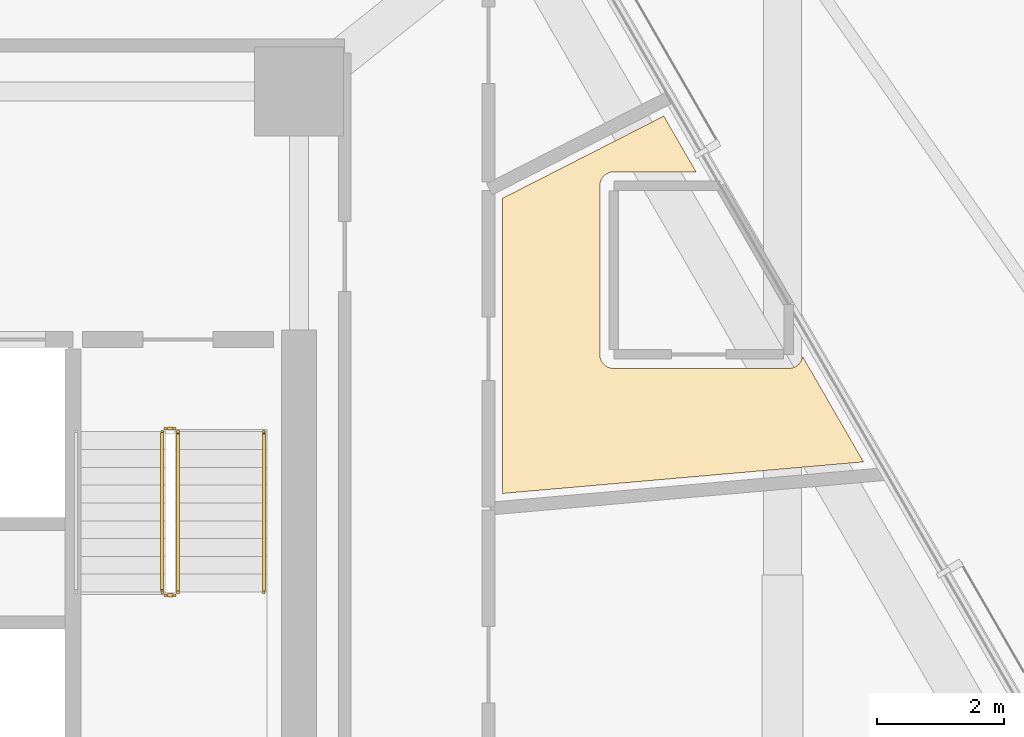
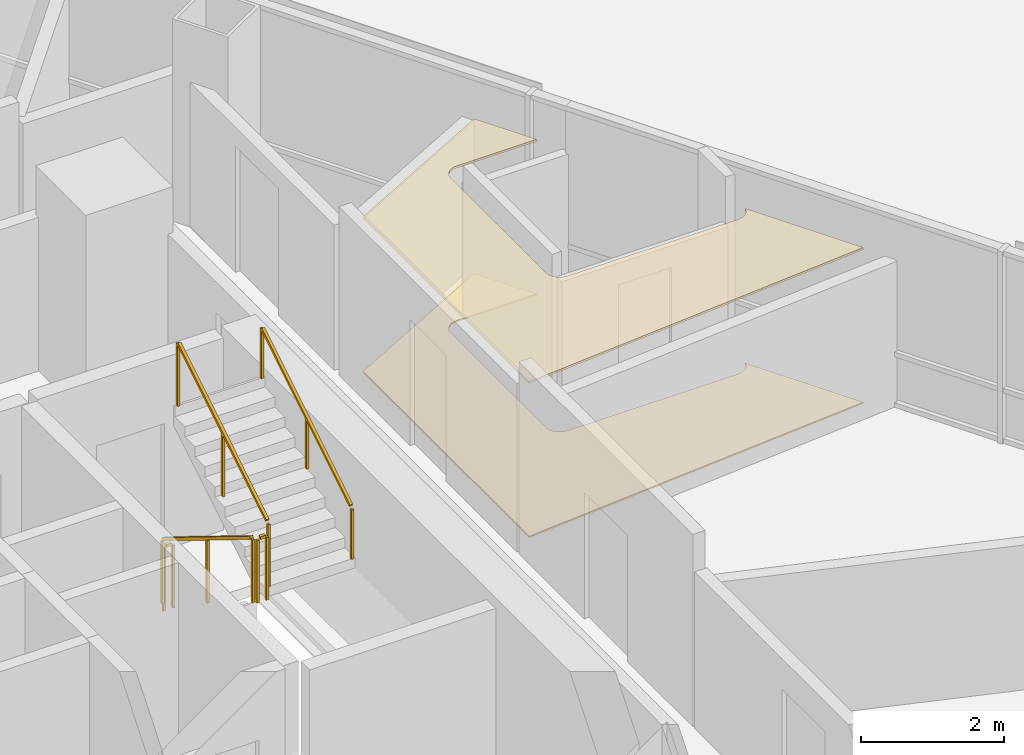
# One storey, part 18 of 19: 5 railings, 2 coverings.
"""IFC4 building model written with IfcOpenShell, lengths in metres."""

import ifcopenshell
import ifcopenshell.guid

model = None  # the IFC model being written
_history = None  # IfcOwnerHistory: only IFC2X3 demands one
_inside = {}  # id of a spatial element -> (the spatial element, [elements in it])
_under = {}  # id of a project, library or spatial element -> (it, [spatial elements below it])
_declared = {}  # id of a project -> (the project, [libraries it declares])
_typed = {}  # id of a type object -> (the type object, [elements of that type])
_made_of = {}  # id of a material, layer set ... -> (it, [elements and type objects made of it])


def new_model(schema):
    """Start an empty IFC model of exactly this schema.

    Asked for "IFC4X3", IfcOpenShell would pick the latest addendum, in which some entities
    have other attributes; the version numbers below select the first issue.
    IFC2X3 requires an IfcOwnerHistory on every rooted entity: one is made here for all.
    """
    global model, _history
    if schema == "IFC4X3":
        model = ifcopenshell.file(schema_version=(4, 3, 0, 0))
    else:
        model = ifcopenshell.file(schema=schema)
    _inside.clear()
    _under.clear()
    _declared.clear()
    _typed.clear()
    _made_of.clear()
    _history = None
    if model.schema == "IFC2X3":
        org = make("IfcOrganization", Name="unknown")
        user = make(
            "IfcPersonAndOrganization",
            ThePerson=make("IfcPerson", FamilyName="unknown"),
            TheOrganization=org,
        )
        app = make(
            "IfcApplication",
            ApplicationDeveloper=org,
            Version="unknown",
            ApplicationFullName="unknown",
            ApplicationIdentifier="unknown",
        )
        _history = make(
            "IfcOwnerHistory",
            OwningUser=user,
            OwningApplication=app,
            ChangeAction="ADDED",
            CreationDate=0,
        )
    return model


def make(cls, **values):
    """One entity of the class cls with the attributes given. An attribute that is None is left unset."""
    return model.create_entity(
        cls, **{name: value for name, value in values.items() if value is not None}
    )


def rooted(cls, **values):
    """An entity with a GlobalId (a new one), such as an element, a storey or a relation."""
    return make(cls, GlobalId=ifcopenshell.guid.new(), OwnerHistory=_history, **values)


def si_unit(unit_type, name, prefix=None):
    """IfcSIUnit, for example si_unit("LENGTHUNIT", "METRE", prefix="MILLI")."""
    return make("IfcSIUnit", UnitType=unit_type, Prefix=prefix, Name=name)


def assignment(units):
    """IfcUnitAssignment: the units of a project."""
    return None if units is None else make("IfcUnitAssignment", Units=units)


def point(xyz):
    """IfcCartesianPoint."""
    return None if xyz is None else make("IfcCartesianPoint", Coordinates=xyz)


def direction(xyz):
    """IfcDirection."""
    return None if xyz is None else make("IfcDirection", DirectionRatios=xyz)


def frame(location, z_axis=None, x_axis=None):
    """IfcAxis2Placement3D, a coordinate frame: its origin and axes. An axis left out is left unset."""
    return make(
        "IfcAxis2Placement3D",
        Location=point(location),
        Axis=direction(z_axis),
        RefDirection=direction(x_axis),
    )


def frame_2d(location, x_axis=None):
    """IfcAxis2Placement2D, a coordinate frame in the plane: its origin and x axis."""
    return make(
        "IfcAxis2Placement2D", Location=point(location), RefDirection=direction(x_axis)
    )


def origin():
    """The frame at (0, 0, 0) with its axes left unset."""
    return frame((0.0, 0.0, 0.0))


def origin_2d():
    """The frame at (0, 0) in the plane with its x axis left unset."""
    return frame_2d((0.0, 0.0))


def place(relative_to, where):
    """IfcLocalPlacement: puts the frame where relative to a parent placement (None: the world)."""
    return make(
        "IfcLocalPlacement", PlacementRelTo=relative_to, RelativePlacement=where
    )


def context(
    kind, dimensions, precision=None, world=None, true_north=None, identifier=None
):
    """IfcGeometricRepresentationContext, for example the 3D "Model" context."""
    return make(
        "IfcGeometricRepresentationContext",
        ContextIdentifier=identifier,
        ContextType=kind,
        CoordinateSpaceDimension=dimensions,
        Precision=precision,
        WorldCoordinateSystem=world,
        TrueNorth=true_north,
    )


def subcontext(parent, identifier, kind, view, scale=None):
    """IfcGeometricRepresentationSubContext, for example "Body" below "Model"."""
    return make(
        "IfcGeometricRepresentationSubContext",
        ContextIdentifier=identifier,
        ContextType=kind,
        ParentContext=parent,
        TargetScale=scale,
        TargetView=view,
    )


def project(units=None, contexts=None):
    """IfcProject with its units and contexts."""
    return rooted(
        "IfcProject",
        Name="project",
        RepresentationContexts=contexts,
        UnitsInContext=assignment(units),
    )


def spatial(cls, under=None, at=None, **own):
    """A site, building, storey or space (cls), placed at a placement, below another one or the project."""
    s = rooted(cls, ObjectPlacement=at, **own)
    if under is not None:
        _under.setdefault(under.id(), (under, []))[1].append(s)
    return s


def polyline(points):
    """IfcPolyline through the points."""
    return make("IfcPolyline", Points=[point(p) for p in points])


def profile(cls, at=None, kind="AREA", **sizes):
    """A parametric profile (cls). Its sizes go by their IFC names, for example OverallWidth=200.0."""
    return make(cls, ProfileType=kind, Position=at, **sizes)


def rectangle(**sizes):
    """IfcRectangleProfileDef."""
    return profile("IfcRectangleProfileDef", **sizes)


def outline(outer, holes=None, kind="AREA"):
    """IfcArbitraryClosedProfileDef: a profile drawn as a closed curve; with holes, ...WithVoids."""
    if holes is None:
        return make("IfcArbitraryClosedProfileDef", ProfileType=kind, OuterCurve=outer)
    return make(
        "IfcArbitraryProfileDefWithVoids",
        ProfileType=kind,
        OuterCurve=outer,
        InnerCurves=holes,
    )


def extrude(swept, where, along, depth):
    """IfcExtrudedAreaSolid: the profile swept, set in the frame where, extruded along a direction by depth."""
    return make(
        "IfcExtrudedAreaSolid",
        SweptArea=swept,
        Position=where,
        ExtrudedDirection=direction(along),
        Depth=depth,
    )


def shape(context_of_items, identifier, shape_type, items):
    """IfcShapeRepresentation: the items that make up one representation, for example the "Body"."""
    return make(
        "IfcShapeRepresentation",
        ContextOfItems=context_of_items,
        RepresentationIdentifier=identifier,
        RepresentationType=shape_type,
        Items=items,
    )


def material(Name=None, Category=None):
    """IfcMaterial."""
    return make("IfcMaterial", Name=Name, Category=Category)


def layer(
    of_material, thickness, ventilated=None, Name=None, Category=None, Priority=None
):
    """IfcMaterialLayer: one layer of a wall or slab, of a material (None: an air gap)."""
    return make(
        "IfcMaterialLayer",
        Material=of_material,
        LayerThickness=thickness,
        IsVentilated=ventilated,
        Name=Name,
        Category=Category,
        Priority=Priority,
    )


def layer_set(layers, Name=None):
    """IfcMaterialLayerSet."""
    return make("IfcMaterialLayerSet", MaterialLayers=layers, LayerSetName=Name)


def made_of(thing, what):
    """Note that an element or type object is made of a material, layer set ...; save() writes the relation."""
    if what is not None:
        _made_of.setdefault(what.id(), (what, []))[1].append(thing)
    return thing


def type_object(cls, material=None, **own):
    """A type object (cls), such as IfcWallType, which elements share."""
    return made_of(rooted(cls, **own), material)


def element(
    cls,
    number,
    at=None,
    inside=None,
    cuts=None,
    type_object=None,
    material=None,
    context=None,
    identifier="Body",
    shape_type=None,
    held_by="IfcProductDefinitionShape",
    body=None,
    shapes=None,
    **own,
):
    """One element of the class cls, such as IfcWall. Its Tag is "e" and its number.

    at: its placement. inside: the storey or other place that contains it. cuts: it is an
    opening in that element (IfcRelVoidsElement). A single representation is given by context,
    identifier, shape_type and body (its items); several are given by shapes. held_by: the class
    of the entity that holds the representations. save() writes the other relations.
    """
    e = rooted(cls, Tag="e%d" % number, ObjectPlacement=at, **own)
    if body is not None:
        shapes = [shape(context, identifier, shape_type, body)]
    if shapes is not None:
        e.Representation = make(held_by, Representations=shapes)
    if inside is not None:
        _inside.setdefault(inside.id(), (inside, []))[1].append(e)
    if cuts is not None:
        rooted(
            "IfcRelVoidsElement", RelatingBuildingElement=cuts, RelatedOpeningElement=e
        )
    if type_object is not None:
        _typed.setdefault(type_object.id(), (type_object, []))[1].append(e)
    return made_of(e, material)


def aggregate(whole, parts):
    """IfcRelAggregates: a whole, such as a stair, and the parts it consists of."""
    return rooted("IfcRelAggregates", RelatingObject=whole, RelatedObjects=parts)


def save(model, path):
    """Write the relations noted so far, then the file.

    IfcRelAggregates (storeys below a building ...), IfcRelContainedInSpatialStructure (elements
    in a storey), IfcRelDefinesByType, IfcRelAssociatesMaterial and IfcRelDeclares: one each for
    every whole, place, type object, material and project.
    """
    for whole, parts in _under.values():
        aggregate(whole, parts)
    for where, things in _inside.values():
        rooted(
            "IfcRelContainedInSpatialStructure",
            RelatedElements=things,
            RelatingStructure=where,
        )
    for kind, things in _typed.values():
        rooted("IfcRelDefinesByType", RelatedObjects=things, RelatingType=kind)
    for what, things in _made_of.values():
        rooted("IfcRelAssociatesMaterial", RelatedObjects=things, RelatingMaterial=what)
    for by, libraries in _declared.values():
        rooted("IfcRelDeclares", RelatingContext=by, RelatedDefinitions=libraries)
    model.write(path)


model = new_model("IFC4")

# Units and contexts
model_context = context("Model", 3, precision=1e-05, world=origin(), true_north=direction((0.0, 1.0)))
body_context = subcontext(model_context, "Body", "Model", "MODEL_VIEW")
ifc_project = project(units=[si_unit("LENGTHUNIT", "METRE"), si_unit("AREAUNIT", "SQUARE_METRE"), si_unit("VOLUMEUNIT", "CUBIC_METRE"), si_unit("PLANEANGLEUNIT", "RADIAN"), si_unit("MASSUNIT", "GRAM", prefix="KILO")], contexts=[model_context])

# Site, building, storey
site_placement = place(None, origin())
site = spatial("IfcSite", under=ifc_project, at=site_placement, CompositionType="ELEMENT")
building_placement = place(site_placement, origin())
building = spatial("IfcBuilding", under=site, at=building_placement, Name="Tharavind Bronze Gate", CompositionType="ELEMENT")
storey_placement = place(building_placement, frame((0.0, 0.0, 31.800048828125)))
storey = spatial("IfcBuildingStorey", under=building, at=storey_placement, Name="L06", CompositionType="ELEMENT", Elevation=31.800048828125)

# Coverings
ifc_material_1 = material(Name="Engineered Oak & Carpet Tile", Category="wood")
ifc_layer_1 = layer(ifc_material_1, 0.02490234375)
ifc_layer_set_1 = layer_set([ifc_layer_1], Name="Engineered Oak & Carpet Tile")
covering_type_1 = type_object("IfcCoveringType", Name="ENGINEERED TIMBER FLOORING", PredefinedType="FLOORING", material=ifc_layer_set_1)
covering_1_placement = place(storey_placement, origin())
element("IfcCovering", 1, at=covering_1_placement, inside=storey, type_object=covering_type_1, Name="L06-RM-01 floor finish", PredefinedType="FLOORING", context=body_context, shape_type="SweptSolid", body=[
    extrude(outline(polyline([(17.773193359375, 1.77587890625), (16.8173828125, 3.431640625), (16.81591796875, 3.42138671875), (16.810546875, 3.400390625), (16.80322265625, 3.380126953125), (16.7939453125, 3.360595703125), (16.782958984375, 3.342041015625), (16.77001953125, 3.32470703125), (16.755615234375, 3.30859375), (16.739501953125, 3.294189453125), (16.72216796875, 3.281494140625), (16.70361328125, 3.270263671875), (16.68408203125, 3.260986328125), (16.663818359375, 3.25390625), (16.642822265625, 3.24853515625), (16.62158203125, 3.245361328125), (16.60009765625, 3.244384765625), (13.85009765625, 3.244384765625), (13.828369140625, 3.245361328125), (13.80712890625, 3.24853515625), (13.7861328125, 3.25390625), (13.765869140625, 3.260986328125), (13.746337890625, 3.270263671875), (13.727783203125, 3.281494140625), (13.71044921875, 3.294189453125), (13.6943359375, 3.30859375), (13.679931640625, 3.32470703125), (13.6669921875, 3.342041015625), (13.656005859375, 3.360595703125), (13.646728515625, 3.380126953125), (13.639404296875, 3.400390625), (13.63427734375, 3.42138671875), (13.631103515625, 3.442626953125), (13.6298828125, 3.46435546875), (13.6298828125, 6.1142578125), (13.631103515625, 6.135986328125), (13.63427734375, 6.1572265625), (13.639404296875, 6.17822265625), (13.646728515625, 6.198486328125), (13.656005859375, 6.218017578125), (13.6669921875, 6.236572265625), (13.679931640625, 6.25390625), (13.6943359375, 6.27001953125), (13.71044921875, 6.284423828125), (13.727783203125, 6.297119140625), (13.746337890625, 6.308349609375), (13.765869140625, 6.317626953125), (13.7861328125, 6.32470703125), (13.80712890625, 6.330078125), (13.828369140625, 6.333251953125), (13.85009765625, 6.334228515625), (15.141357421875, 6.334228515625), (14.6357421875, 7.210205078125), (12.10009765625, 5.918212890625), (12.10009765625, 1.279541015625), (17.773193359375, 1.77587890625)])), origin(), (0.0, 0.0, 1.0), 0.02490234375),
])
ifc_material_2 = material(Name="Acoustic Gypsum Board", Category="gypsum")
ifc_layer_2 = layer(ifc_material_2, 0.030029296875)
ifc_layer_set_2 = layer_set([ifc_layer_2], Name="Acoustic Gypsum Board")
covering_type_2 = type_object("IfcCoveringType", Name="GYPSUM SUSPENDED CEILING", PredefinedType="CEILING", material=ifc_layer_set_2)
covering_2_placement = place(storey_placement, frame((0.0, 0.0, 2.625)))
element("IfcCovering", 2, at=covering_2_placement, inside=storey, type_object=covering_type_2, Name="L06-RM-01 suspended ceiling", PredefinedType="CEILING", context=body_context, shape_type="SweptSolid", body=[
    extrude(outline(polyline([(17.773193359375, 1.77587890625), (16.8173828125, 3.431640625), (16.81591796875, 3.42138671875), (16.810546875, 3.400390625), (16.80322265625, 3.380126953125), (16.7939453125, 3.360595703125), (16.782958984375, 3.342041015625), (16.77001953125, 3.32470703125), (16.755615234375, 3.30859375), (16.739501953125, 3.294189453125), (16.72216796875, 3.281494140625), (16.70361328125, 3.270263671875), (16.68408203125, 3.260986328125), (16.663818359375, 3.25390625), (16.642822265625, 3.24853515625), (16.62158203125, 3.245361328125), (16.60009765625, 3.244384765625), (13.85009765625, 3.244384765625), (13.828369140625, 3.245361328125), (13.80712890625, 3.24853515625), (13.7861328125, 3.25390625), (13.765869140625, 3.260986328125), (13.746337890625, 3.270263671875), (13.727783203125, 3.281494140625), (13.71044921875, 3.294189453125), (13.6943359375, 3.30859375), (13.679931640625, 3.32470703125), (13.6669921875, 3.342041015625), (13.656005859375, 3.360595703125), (13.646728515625, 3.380126953125), (13.639404296875, 3.400390625), (13.63427734375, 3.42138671875), (13.631103515625, 3.442626953125), (13.6298828125, 3.46435546875), (13.6298828125, 6.1142578125), (13.631103515625, 6.135986328125), (13.63427734375, 6.1572265625), (13.639404296875, 6.17822265625), (13.646728515625, 6.198486328125), (13.656005859375, 6.218017578125), (13.6669921875, 6.236572265625), (13.679931640625, 6.25390625), (13.6943359375, 6.27001953125), (13.71044921875, 6.284423828125), (13.727783203125, 6.297119140625), (13.746337890625, 6.308349609375), (13.765869140625, 6.317626953125), (13.7861328125, 6.32470703125), (13.80712890625, 6.330078125), (13.828369140625, 6.333251953125), (13.85009765625, 6.334228515625), (15.141357421875, 6.334228515625), (14.6357421875, 7.210205078125), (12.10009765625, 5.918212890625), (12.10009765625, 1.279541015625), (17.773193359375, 1.77587890625)])), origin(), (0.0, 0.0, 1.0), 0.034912109375),
])

# Railings
ifc_material_3 = material(Name="Brushed Bronze Alloy", Category="metal")
railing_type_1 = type_object("IfcRailingType", Name="STAIR BRONZE HANDRAIL 900", PredefinedType="HANDRAIL", material=ifc_material_3)
railing_1_placement = place(storey_placement, frame((8.35009765625, -0.27001953125, 1.8974609375)))
element("IfcRailing", 3, at=railing_1_placement, inside=storey, type_object=railing_type_1, Name="L06 ST2 stair handrail 2", PredefinedType="HANDRAIL", context=body_context, shape_type="SweptSolid", body=[
    extrude(rectangle(XDim=0.048095703125, YDim=0.048095703125, at=origin_2d()), frame((0.0, 0.02734375, 0.892578125), z_axis=(0.0, 0.851400495292, 0.524516154772), x_axis=(-1.0, 0.0, 0.0)), (0.0, 0.0, 1.0), 2.895751953125),
    extrude(rectangle(XDim=0.0400390625, YDim=0.0400390625, at=origin_2d()), origin(), (0.0, 0.0, 1.0), 0.847900390625),
    extrude(rectangle(XDim=0.0400390625, YDim=0.0400390625, at=origin_2d()), frame((0.0, 1.260009765625, 0.7763671875)), (0.0, 0.0, 1.0), 0.847900390625),
    extrude(rectangle(XDim=0.0400390625, YDim=0.0400390625, at=origin_2d()), frame((0.0, 2.52001953125, 1.552490234375)), (0.0, 0.0, 1.0), 0.847900390625),
])
railing_type_2 = type_object("IfcRailingType", Name="STAIR WELL GUARD RAILING 1120", PredefinedType="GUARDRAIL", material=ifc_material_3)
railing_2_placement = place(storey_placement, frame((6.75, 2.25, 0.17236328125)))
element("IfcRailing", 4, at=railing_2_placement, inside=storey, type_object=railing_type_2, Name="L06 ST2 stair guard 1", PredefinedType="GUARDRAIL", context=body_context, shape_type="SweptSolid", body=[
    extrude(rectangle(XDim=0.048095703125, YDim=0.048095703125, at=origin_2d()), frame((0.0, -0.02734375, 1.11279296875), z_axis=(0.0, -0.851400495292, 0.524516154772), x_axis=(1.0, 0.0, 0.0)), (0.0, 0.0, 1.0), 2.895751953125),
    extrude(rectangle(XDim=0.0400390625, YDim=0.0400390625, at=origin_2d()), origin(), (0.0, 0.0, 1.0), 1.068115234375),
    extrude(rectangle(XDim=0.0400390625, YDim=0.0400390625, at=origin_2d()), frame((0.0, -1.260009765625, 0.7763671875)), (0.0, 0.0, 1.0), 1.068115234375),
    extrude(rectangle(XDim=0.0400390625, YDim=0.0400390625, at=origin_2d()), frame((0.0, -2.52001953125, 1.552490234375)), (0.0, 0.0, 1.0), 1.068115234375),
])
railing_3_placement = place(storey_placement, frame((6.800048828125, -0.320068359375, 1.724853515625)))
element("IfcRailing", 5, at=railing_3_placement, inside=storey, type_object=railing_type_2, Name="L06 ST2 stair guard 2", PredefinedType="GUARDRAIL", context=body_context, shape_type="SweptSolid", body=[
    extrude(rectangle(XDim=0.048095703125, YDim=0.048095703125, at=origin_2d()), frame((0.031982421875, 0.0, 1.09619140625), z_axis=(1.0, 0.0, 0.0), x_axis=(0.0, 1.0, 0.0)), (0.0, 0.0, 1.0), 0.0859375),
    extrude(rectangle(XDim=0.0400390625, YDim=0.0400390625, at=origin_2d()), origin(), (0.0, 0.0, 1.0), 1.068115234375),
    extrude(rectangle(XDim=0.0400390625, YDim=0.0400390625, at=origin_2d()), frame((0.14990234375, 0.0, 0.0)), (0.0, 0.0, 1.0), 1.068115234375),
])
railing_4_placement = place(storey_placement, frame((7.0, -0.27001953125, 1.8974609375)))
element("IfcRailing", 6, at=railing_4_placement, inside=storey, type_object=railing_type_2, Name="L06 ST2 stair guard 3", PredefinedType="GUARDRAIL", context=body_context, shape_type="SweptSolid", body=[
    extrude(rectangle(XDim=0.048095703125, YDim=0.048095703125, at=origin_2d()), frame((0.0, 0.02734375, 1.11279296875), z_axis=(0.0, 0.851400495292, 0.524516154772), x_axis=(-1.0, 0.0, 0.0)), (0.0, 0.0, 1.0), 2.895751953125),
    extrude(rectangle(XDim=0.0400390625, YDim=0.0400390625, at=origin_2d()), origin(), (0.0, 0.0, 1.0), 1.068115234375),
    extrude(rectangle(XDim=0.0400390625, YDim=0.0400390625, at=origin_2d()), frame((0.0, 1.260009765625, 0.7763671875)), (0.0, 0.0, 1.0), 1.068115234375),
    extrude(rectangle(XDim=0.0400390625, YDim=0.0400390625, at=origin_2d()), frame((0.0, 2.52001953125, 1.552490234375)), (0.0, 0.0, 1.0), 1.068115234375),
])
railing_5_placement = place(storey_placement, frame((6.800048828125, 2.300048828125, 0.0)))
element("IfcRailing", 7, at=railing_5_placement, inside=storey, type_object=railing_type_2, Name="L06 ST2 stair guard 4", PredefinedType="GUARDRAIL", context=body_context, shape_type="SweptSolid", body=[
    extrude(rectangle(XDim=0.048095703125, YDim=0.048095703125, at=origin_2d()), frame((0.031982421875, 0.0, 1.09619140625), z_axis=(1.0, 0.0, 0.0), x_axis=(0.0, 1.0, 0.0)), (0.0, 0.0, 1.0), 0.0859375),
    extrude(rectangle(XDim=0.0400390625, YDim=0.0400390625, at=origin_2d()), origin(), (0.0, 0.0, 1.0), 1.068115234375),
    extrude(rectangle(XDim=0.0400390625, YDim=0.0400390625, at=origin_2d()), frame((0.14990234375, 0.0, 0.0)), (0.0, 0.0, 1.0), 1.068115234375),
])

save(model, "model.ifc")
